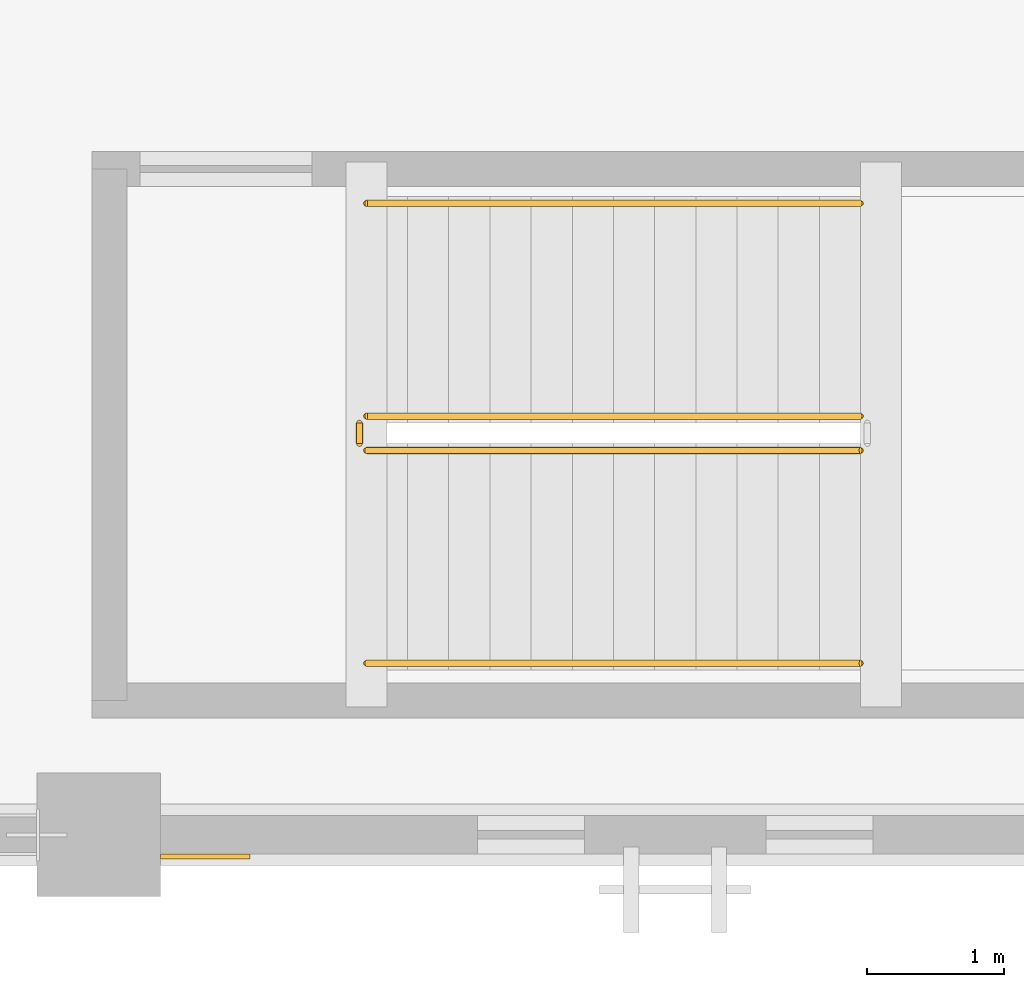
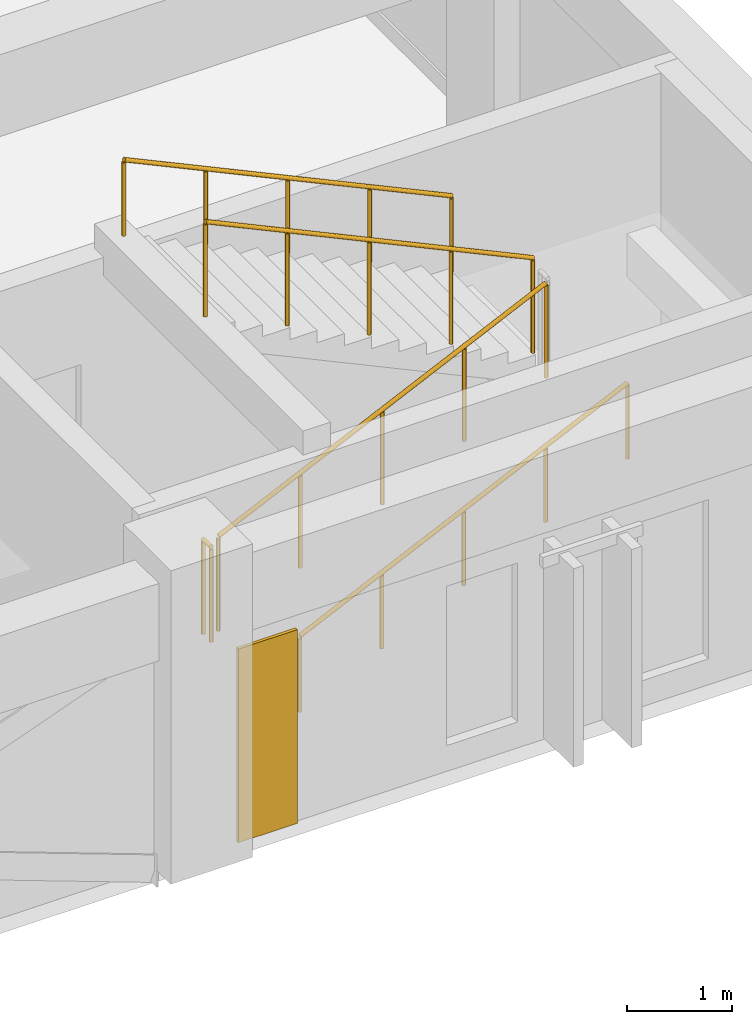
# One storey, part 90 of 118: 5 railings, 1 covering.
"""IFC4 building model written with IfcOpenShell, lengths in metres."""

from ifc_helpers import new_model, si_unit, direction, frame, origin, origin_2d, place, context, subcontext, project, spatial, polyline, circle, outline, extrude, material, layer, layer_set, type_object, element, save


model = new_model("IFC4")

# Units and contexts
model_context = context("Model", 3, precision=1e-05, world=origin(), true_north=direction((0.0, 1.0)))
body_context = subcontext(model_context, "Body", "Model", "MODEL_VIEW")
ifc_project = project(units=[si_unit("LENGTHUNIT", "METRE"), si_unit("AREAUNIT", "SQUARE_METRE"), si_unit("VOLUMEUNIT", "CUBIC_METRE"), si_unit("PLANEANGLEUNIT", "RADIAN"), si_unit("MASSUNIT", "GRAM", prefix="KILO")], contexts=[model_context])

# Site, building, storey
site_placement = place(None, origin())
site = spatial("IfcSite", under=ifc_project, at=site_placement, CompositionType="ELEMENT")
building_placement = place(site_placement, origin())
building = spatial("IfcBuilding", under=site, at=building_placement, Name="Cumbredor Promenade Congress Hotel", CompositionType="ELEMENT")
storey_placement = place(building_placement, frame((0.0, 0.0, 3.919921875)))
storey = spatial("IfcBuildingStorey", under=building, at=storey_placement, Name="L01", CompositionType="ELEMENT", Elevation=3.919921875)

# Railings
ifc_material_1 = material(Name="Brushed stainless steel", Category="steel")
railing_type_1 = type_object("IfcRailingType", Name="Interior Void & Stair Guardrail GR-1100", PredefinedType="GUARDRAIL", material=ifc_material_1)
railing_1_placement = place(storey_placement, frame((60.75, 11.199951171875, 0.14013671875)))
element("IfcRailing", 1, at=railing_1_placement, inside=storey, type_object=railing_type_1, Name="L01 ST-05 stair guard 1", PredefinedType="GUARDRAIL", context=body_context, shape_type="SweptSolid", body=[
    extrude(circle(Radius=0.02392578125, at=origin_2d()), frame((0.0, 0.0, 1.09619140625), z_axis=(0.906194129559, 0.0, 0.422861915468), x_axis=(0.0, 1.0, 0.0)), (0.0, 0.0, 1.0), 3.97265625),
    extrude(circle(Radius=0.02099609375, at=origin_2d()), origin(), (0.0, 0.0, 1.0), 1.072021484375),
    extrude(circle(Radius=0.02099609375, at=origin_2d()), frame((0.89990234375, 0.0, 0.419921875)), (0.0, 0.0, 1.0), 1.072021484375),
    extrude(circle(Radius=0.02099609375, at=origin_2d()), frame((1.800048828125, 0.0, 0.83984375)), (0.0, 0.0, 1.0), 1.072021484375),
    extrude(circle(Radius=0.02099609375, at=origin_2d()), frame((2.7001953125, 0.0, 1.260009765625)), (0.0, 0.0, 1.0), 1.072021484375),
    extrude(circle(Radius=0.02099609375, at=origin_2d()), frame((3.60009765625, 0.0, 1.679931640625)), (0.0, 0.0, 1.0), 1.072021484375),
])
railing_2_placement = place(storey_placement, frame((64.35009765625, 11.449951171875, 1.9599609375)))
element("IfcRailing", 2, at=railing_2_placement, inside=storey, type_object=railing_type_1, Name="L01 ST-05 stair guard 3", PredefinedType="GUARDRAIL", context=body_context, shape_type="SweptSolid", body=[
    extrude(circle(Radius=0.02392578125, at=origin_2d()), frame((0.0, 0.0, 1.09619140625), z_axis=(-0.906170580071, 0.0, 0.422912378411), x_axis=(0.0, -1.0, 0.0)), (0.0, 0.0, 1.0), 3.972900390625),
    extrude(circle(Radius=0.02099609375, at=origin_2d()), origin(), (0.0, 0.0, 1.0), 1.072021484375),
    extrude(circle(Radius=0.02099609375, at=origin_2d()), frame((-0.89990234375, 0.0, 0.419921875)), (0.0, 0.0, 1.0), 1.072021484375),
    extrude(circle(Radius=0.02099609375, at=origin_2d()), frame((-1.800048828125, 0.0, 0.840087890625)), (0.0, 0.0, 1.0), 1.072021484375),
    extrude(circle(Radius=0.02099609375, at=origin_2d()), frame((-2.7001953125, 0.0, 1.26025390625)), (0.0, 0.0, 1.0), 1.072021484375),
    extrude(circle(Radius=0.02099609375, at=origin_2d()), frame((-3.60009765625, 0.0, 1.68017578125)), (0.0, 0.0, 1.0), 1.072021484375),
])
railing_3_placement = place(storey_placement, frame((60.699951171875, 11.25, 0.0)))
element("IfcRailing", 3, at=railing_3_placement, inside=storey, type_object=railing_type_1, Name="L01 ST-05 stair guard 4", PredefinedType="GUARDRAIL", context=body_context, shape_type="SweptSolid", body=[
    extrude(circle(Radius=0.02392578125, at=origin_2d()), frame((0.0, 0.0, 1.09619140625), z_axis=(0.0, 1.0, 0.0), x_axis=(-1.0, 0.0, 0.0)), (0.0, 0.0, 1.0), 0.14990234375),
    extrude(circle(Radius=0.02099609375, at=origin_2d()), origin(), (0.0, 0.0, 1.0), 1.072021484375),
    extrude(circle(Radius=0.02099609375, at=origin_2d()), frame((0.0, 0.14990234375, 0.0)), (0.0, 0.0, 1.0), 1.072021484375),
])
railing_type_2 = type_object("IfcRailingType", Name="Stair Pitch Handrail HR-900", PredefinedType="HANDRAIL", material=ifc_material_1)
railing_4_placement = place(storey_placement, frame((60.75, 9.64990234375, 0.14013671875)))
element("IfcRailing", 4, at=railing_4_placement, inside=storey, type_object=railing_type_2, Name="L01 ST-05 stair handrail 1", PredefinedType="HANDRAIL", context=body_context, shape_type="SweptSolid", body=[
    extrude(circle(Radius=0.02392578125, at=origin_2d()), frame((0.0, 0.0, 0.8759765625), z_axis=(0.906194129559, 0.0, 0.422861915468), x_axis=(0.0, 1.0, 0.0)), (0.0, 0.0, 1.0), 3.97265625),
    extrude(circle(Radius=0.02099609375, at=origin_2d()), origin(), (0.0, 0.0, 1.0), 0.851806640625),
    extrude(circle(Radius=0.02099609375, at=origin_2d()), frame((0.89990234375, 0.0, 0.419921875)), (0.0, 0.0, 1.0), 0.851806640625),
    extrude(circle(Radius=0.02099609375, at=origin_2d()), frame((1.800048828125, 0.0, 0.83984375)), (0.0, 0.0, 1.0), 0.851806640625),
    extrude(circle(Radius=0.02099609375, at=origin_2d()), frame((2.7001953125, 0.0, 1.260009765625)), (0.0, 0.0, 1.0), 0.851806640625),
    extrude(circle(Radius=0.02099609375, at=origin_2d()), frame((3.60009765625, 0.0, 1.679931640625)), (0.0, 0.0, 1.0), 0.851806640625),
])
railing_5_placement = place(storey_placement, frame((64.35009765625, 13.0, 1.9599609375)))
element("IfcRailing", 5, at=railing_5_placement, inside=storey, type_object=railing_type_2, Name="L01 ST-05 stair handrail 2", PredefinedType="HANDRAIL", context=body_context, shape_type="SweptSolid", body=[
    extrude(circle(Radius=0.02392578125, at=origin_2d()), frame((0.0, 0.0, 0.8759765625), z_axis=(-0.906170580071, 0.0, 0.422912378411), x_axis=(0.0, -1.0, 0.0)), (0.0, 0.0, 1.0), 3.972900390625),
    extrude(circle(Radius=0.02099609375, at=origin_2d()), origin(), (0.0, 0.0, 1.0), 0.851806640625),
    extrude(circle(Radius=0.02099609375, at=origin_2d()), frame((-0.89990234375, 0.0, 0.419921875)), (0.0, 0.0, 1.0), 0.851806640625),
    extrude(circle(Radius=0.02099609375, at=origin_2d()), frame((-1.800048828125, 0.0, 0.840087890625)), (0.0, 0.0, 1.0), 0.851806640625),
    extrude(circle(Radius=0.02099609375, at=origin_2d()), frame((-2.7001953125, 0.0, 1.26025390625)), (0.0, 0.0, 1.0), 0.851806640625),
    extrude(circle(Radius=0.02099609375, at=origin_2d()), frame((-3.60009765625, 0.0, 1.68017578125)), (0.0, 0.0, 1.0), 0.851806640625),
])

# Covering
ifc_material_2 = material(Name="Volcanic andesite ashlar cladding", Category="masonry")
ifc_layer = layer(ifc_material_2, 0.034912109375, Name="Volcanic andesite ashlar cladding", Category="masonry")
ifc_layer_set = layer_set([ifc_layer], Name="Volcanic andesite ashlar cladding")
covering_type = type_object("IfcCoveringType", Name="Volcanic Andesite Ashlar Rainscreen Cladding 35mm", PredefinedType="CLADDING", material=ifc_layer_set)
covering_placement = place(storey_placement, origin())
element("IfcCovering", 6, at=covering_placement, inside=storey, type_object=covering_type, Name="L01 Facade Stone Cladding Pier 047", PredefinedType="CLADDING", context=body_context, shape_type="SweptSolid", body=[
    extrude(outline(polyline([(59.2509765625, 8.260009765625), (59.90087890625, 8.260009765625), (59.90087890625, 8.22509765625), (59.2509765625, 8.22509765625), (59.2509765625, 8.260009765625)])), origin(), (0.0, 0.0, 1.0), 2.25),
])

save(model, "model.ifc")
